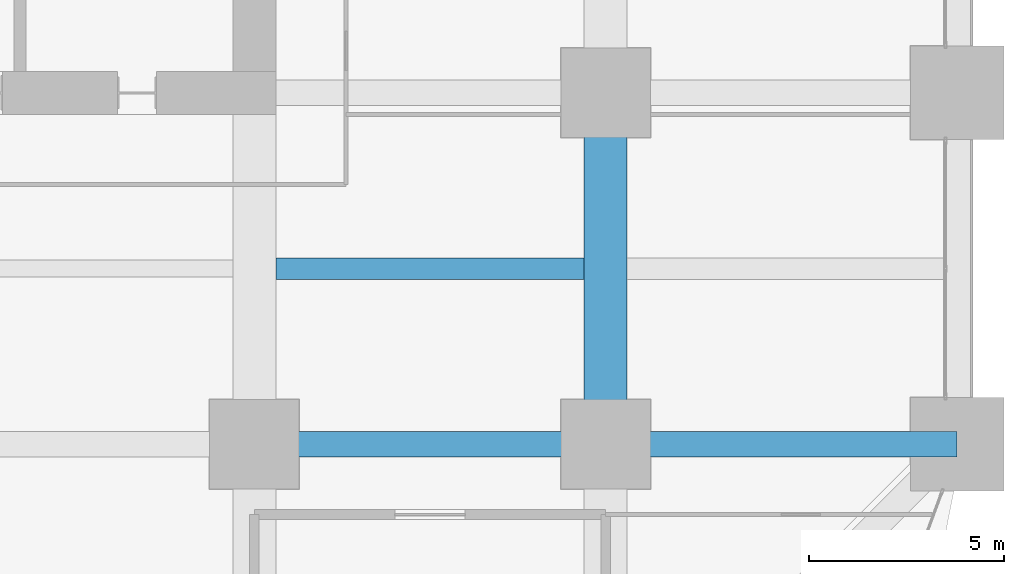
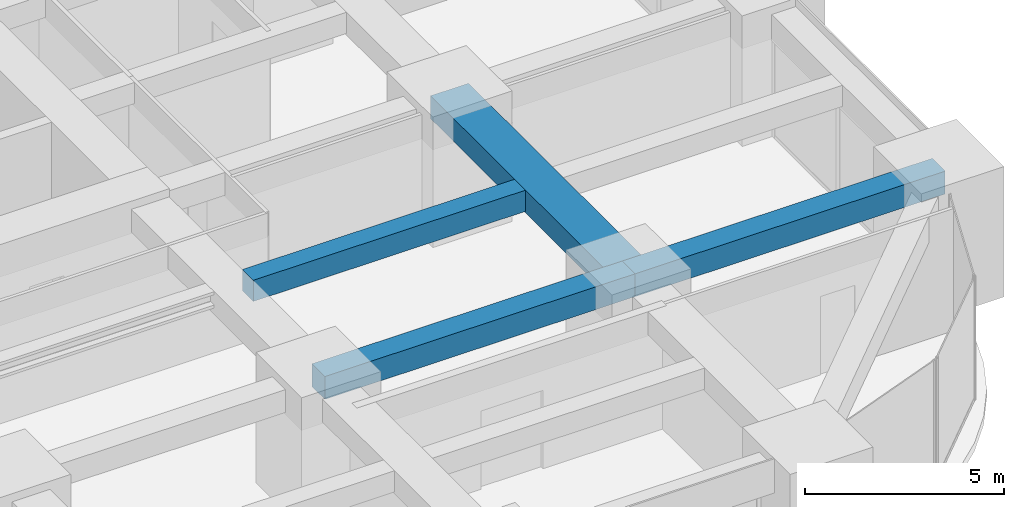
# One storey, part 17 of 44: 4 beams.
"""IFC4 building model written with IfcOpenShell, lengths in metres."""

from ifc_helpers import new_model, si_unit, direction, frame, origin, origin_2d, place, context, subcontext, project, spatial, rectangle, extrude, material, material_profile, profile_set, type_object, element, save


model = new_model("IFC4")

# Units and contexts
model_context = context("Model", 3, precision=1e-05, world=origin(), true_north=direction((0.0, 1.0)))
body_context = subcontext(model_context, "Body", "Model", "MODEL_VIEW")
ifc_project = project(units=[si_unit("LENGTHUNIT", "METRE"), si_unit("AREAUNIT", "SQUARE_METRE"), si_unit("VOLUMEUNIT", "CUBIC_METRE"), si_unit("PLANEANGLEUNIT", "RADIAN"), si_unit("MASSUNIT", "GRAM", prefix="KILO")], contexts=[model_context])

# Site, building, storey
site_placement = place(None, origin())
site = spatial("IfcSite", under=ifc_project, at=site_placement, CompositionType="ELEMENT")
building_placement = place(site_placement, origin())
building = spatial("IfcBuilding", under=site, at=building_placement, Name="Zorevar Civic Tower", CompositionType="ELEMENT")
storey_placement = place(building_placement, frame((0.0, 0.0, 35.800048828125)))
storey = spatial("IfcBuildingStorey", under=building, at=storey_placement, Name="L08", CompositionType="ELEMENT", Elevation=35.800048828125)

# Beams
ifc_material_1 = material(Name="Concrete C50/60", Category="concrete")
ifc_material_profile_1 = material_profile(ifc_material_1, rectangle(XDim=1.10009765625, YDim=0.699951171875, at=origin_2d()), Name="RC 1100x700")
ifc_profile_set_1 = profile_set([ifc_material_profile_1], Name="Concrete C50/60")
beam_type_1 = type_object("IfcBeamType", Name="Beam RC 1100x700", PredefinedType="BEAM", material=ifc_profile_set_1)
beam_1_placement = place(storey_placement, frame((54.0, 9.0, 3.39990234375), z_axis=(0.0, 1.0, 0.0), x_axis=(-1.0, 0.0, 0.0)))
element("IfcBeam", 1, at=beam_1_placement, inside=storey, type_object=beam_type_1, Name="Girder L09", PredefinedType="BEAM", context=body_context, shape_type="SweptSolid", body=[
    extrude(rectangle(XDim=1.10009765625, YDim=0.699951171875, at=origin_2d()), origin(), (0.0, 0.0, 1.0), 9.0),
])
ifc_material_2 = material(Name="Concrete C50/60", Category="concrete")
ifc_material_profile_2 = material_profile(ifc_material_2, rectangle(XDim=0.550048828125, YDim=0.64990234375, at=origin_2d()), Name="RC 550x650")
ifc_profile_set_2 = profile_set([ifc_material_profile_2], Name="Concrete C50/60")
beam_type_2 = type_object("IfcBeamType", Name="Beam RC 550x650", PredefinedType="BEAM", material=ifc_profile_set_2)
beam_2_placement = place(storey_placement, frame((45.550048828125, 13.5, 3.425048828125), z_axis=(1.0, 0.0, 0.0), x_axis=(0.0, 1.0, 0.0)))
element("IfcBeam", 2, at=beam_2_placement, inside=storey, type_object=beam_type_2, Name="Secondary beam L09", PredefinedType="BEAM", context=body_context, shape_type="SweptSolid", body=[
    extrude(rectangle(XDim=0.550048828125, YDim=0.64990234375, at=origin_2d()), origin(), (0.0, 0.0, 1.0), 7.89990234375),
])
ifc_material_3 = material(Name="Concrete C50/60", Category="concrete")
ifc_material_profile_3 = material_profile(ifc_material_3, rectangle(XDim=0.64990234375, YDim=0.699951171875, at=origin_2d()), Name="RC 650x700")
ifc_profile_set_3 = profile_set([ifc_material_profile_3], Name="Concrete C50/60")
beam_type_3 = type_object("IfcBeamType", Name="Beam RC 650x700", PredefinedType="BEAM", material=ifc_profile_set_3)
for number, where, z_axis, x_axis, name in (
    (3, (45.0, 9.0, 3.39990234375), (1.0, 0.0, 0.0), (0.0, 1.0, 0.0), "Girder L09"),
    (4, (54.0, 9.0, 3.39990234375), (1.0, 0.0, 0.0), (0.0, 1.0, 0.0), "Girder L09"),
):
    element("IfcBeam", number, at=place(storey_placement, frame(where, z_axis=z_axis, x_axis=x_axis)), inside=storey, type_object=beam_type_3, Name=name, PredefinedType="BEAM", context=body_context, shape_type="SweptSolid", body=[
        extrude(rectangle(XDim=0.64990234375, YDim=0.699951171875, at=origin_2d()), origin(), (0.0, 0.0, 1.0), 9.0),
    ])

save(model, "model.ifc")
